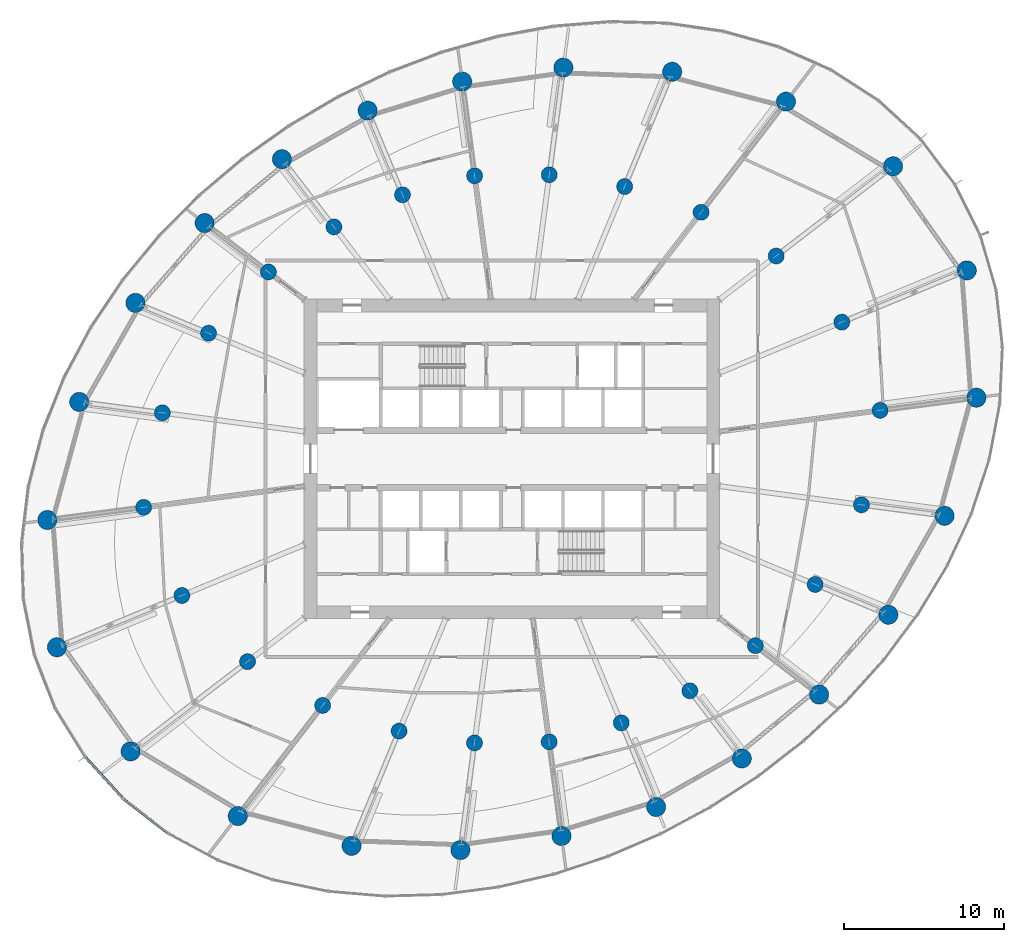
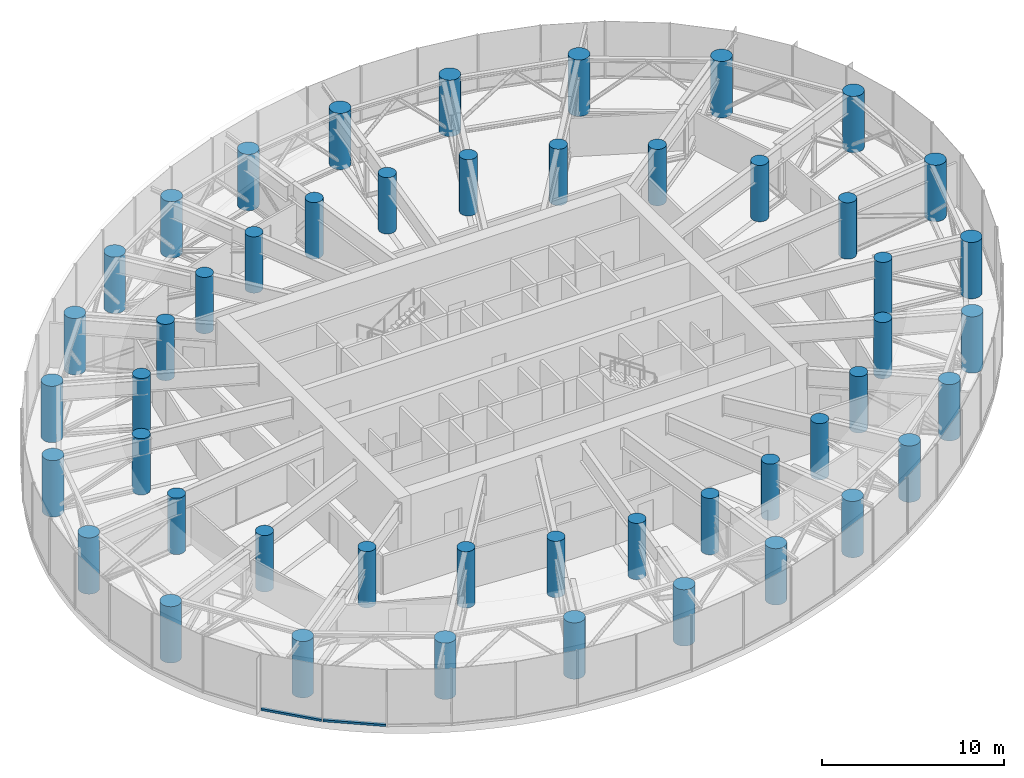
# One storey, part 1 of 33: 48 columns, 2 members, 1 element without a shape of its own.
"""IFC4 building model written with IfcOpenShell, lengths in metres."""

from ifc_helpers import new_model, si_unit, direction, frame, origin, origin_2d, place, context, subcontext, project, spatial, rectangle, circle, extrude, source, transform, mapped, material, layer, layer_set, material_profile, profile_set, type_object, element, aggregate, save


model = new_model("IFC4")

# Units and contexts
model_context = context("Model", 3, precision=1e-05, world=origin(), true_north=direction((0.0, 1.0)))
body_context = subcontext(model_context, "Body", "Model", "MODEL_VIEW")
ifc_project = project(units=[si_unit("LENGTHUNIT", "METRE"), si_unit("AREAUNIT", "SQUARE_METRE"), si_unit("VOLUMEUNIT", "CUBIC_METRE"), si_unit("PLANEANGLEUNIT", "RADIAN"), si_unit("MASSUNIT", "GRAM", prefix="KILO")], contexts=[model_context])

# Site, building, storey
site_placement = place(None, origin())
site = spatial("IfcSite", under=ifc_project, at=site_placement, CompositionType="ELEMENT")
building_placement = place(site_placement, origin())
building = spatial("IfcBuilding", under=site, at=building_placement, Name="Spindrift Exchange Tower", CompositionType="ELEMENT")
storey_placement = place(building_placement, frame((0.0, 0.0, 129.0)))
storey = spatial("IfcBuildingStorey", under=building, at=storey_placement, Name="L30", CompositionType="ELEMENT", Elevation=129.0)

# Columns
ifc_material_1 = material(Name="Concrete 65 MPa", Category="concrete")
ifc_material_profile_1 = material_profile(ifc_material_1, circle(Radius=0.60009765625, at=origin_2d()), Name="RC D1200")
ifc_profile_set_1 = profile_set([ifc_material_profile_1], Name="Concrete 65 MPa")
column_type_1 = type_object("IfcColumnType", Name="RC Perimeter Column D1200 Concrete 65 MPa", PredefinedType="COLUMN", material=ifc_profile_set_1)
shared_shape_1 = source(origin(), body_context, "Body", "SweptSolid", [
    extrude(circle(Radius=0.60009765625, at=origin_2d()), origin(), (0.0, 0.0, 1.0), 3.780029296875),
])
for number, where, z_axis, x_axis, name in (
    (1, (81.056396484375, 51.8251953125, 0.0), (0.0, 0.0, 1.0), (1.0, 0.0, 0.0), "Perimeter column P2-01 L30"),
    (2, (80.45556640625, 59.78662109375, 0.0), (0.0, 0.0, 1.0), (1.0, 0.0, 0.0), "Perimeter column P2-02 L30"),
    (3, (75.84814453125, 66.29931640625, 0.0), (0.0, 0.0, 1.0), (1.0, 0.0, 0.0), "Perimeter column P2-03 L30"),
    (4, (69.145751953125, 70.3447265625, 0.0), (0.0, 0.0, 1.0), (1.0, 0.0, 0.0), "Perimeter column P2-04 L30"),
    (5, (62.029052734375, 72.212158203125, 0.0), (0.0, 0.0, 1.0), (1.0, 0.0, 0.0), "Perimeter column P2-05 L30"),
    (6, (55.222412109375, 72.476806640625, 0.0), (0.0, 0.0, 1.0), (1.0, 0.0, 0.0), "Perimeter column P2-06 L30"),
    (7, (48.8935546875, 71.595458984375, 0.0), (0.0, 0.0, 1.0), (1.0, 0.0, 0.0), "Perimeter column P2-07 L30"),
    (8, (42.978271484375, 69.780517578125, 0.0), (0.0, 0.0, 1.0), (1.0, 0.0, 0.0), "Perimeter column P2-08 L30"),
    (9, (37.617919921875, 66.742919921875, 0.0), (0.0, 0.0, 1.0), (1.0, 0.0, 0.0), "Perimeter column P2-09 L30"),
    (10, (32.7802734375, 62.747802734375, 0.0), (0.0, 0.0, 1.0), (1.0, 0.0, 0.0), "Perimeter column P2-10 L30"),
    (11, (28.4521484375, 57.75390625, 0.0), (0.0, 0.0, 1.0), (1.0, 0.0, 0.0), "Perimeter column P2-11 L30"),
    (12, (24.935546875, 51.56298828125, 0.0), (0.0, 0.0, 1.0), (1.0, 0.0, 0.0), "Perimeter column P2-12 L30"),
    (13, (22.943603515625, 44.1748046875, 0.0), (0.0, 0.0, 1.0), (1.0, 0.0, 0.0), "Perimeter column P2-13 L30"),
    (14, (23.54443359375, 36.21337890625, 0.0), (0.0, 0.0, 1.0), (1.0, 0.0, 0.0), "Perimeter column P2-14 L30"),
    (15, (28.15185546875, 29.70068359375, 0.0), (0.0, 0.0, 1.0), (1.0, 0.0, 0.0), "Perimeter column P2-15 L30"),
    (16, (34.854248046875, 25.6552734375, 0.0), (0.0, 0.0, 1.0), (1.0, 0.0, 0.0), "Perimeter column P2-16 L30"),
    (17, (41.970947265625, 23.787841796875, 0.0), (0.0, 0.0, 1.0), (1.0, 0.0, 0.0), "Perimeter column P2-17 L30"),
    (18, (48.777587890625, 23.523193359375, 0.0), (0.0, 0.0, 1.0), (1.0, 0.0, 0.0), "Perimeter column P2-18 L30"),
    (19, (55.1064453125, 24.404541015625, 0.0), (0.0, 0.0, 1.0), (1.0, 0.0, 0.0), "Perimeter column P2-19 L30"),
    (20, (61.021728515625, 26.219482421875, 0.0), (0.0, 0.0, 1.0), (1.0, 0.0, 0.0), "Perimeter column P2-20 L30"),
    (21, (66.382080078125, 29.257080078125, 0.0), (0.0, 0.0, 1.0), (1.0, 0.0, 0.0), "Perimeter column P2-21 L30"),
    (22, (71.2197265625, 33.252197265625, 0.0), (0.0, 0.0, 1.0), (1.0, 0.0, 0.0), "Perimeter column P2-22 L30"),
    (23, (75.5478515625, 38.24609375, 0.0), (0.0, 0.0, 1.0), (1.0, 0.0, 0.0), "Perimeter column P2-23 L30"),
    (24, (79.064453125, 44.43701171875, 0.0), (0.0, 0.0, 1.0), (1.0, 0.0, 0.0), "Perimeter column P2-24 L30"),
):
    element("IfcColumn", number, at=place(storey_placement, frame(where, z_axis=z_axis, x_axis=x_axis)), inside=storey, type_object=column_type_1, Name=name, PredefinedType="COLUMN", context=body_context, shape_type="MappedRepresentation", body=[
        mapped(shared_shape_1, transform((0.0, 0.0, 0.0), scale=1.0)),
    ])
ifc_material_profile_2 = material_profile(ifc_material_1, circle(Radius=0.5, at=origin_2d()), Name="RC D1000")
ifc_profile_set_2 = profile_set([ifc_material_profile_2], Name="Concrete 65 MPa")
column_type_2 = type_object("IfcColumnType", Name="RC Inner Column D1000 Concrete 65 MPa", PredefinedType="COLUMN", material=ifc_profile_set_2)
shared_shape_2 = source(origin(), body_context, "Body", "SweptSolid", [
    extrude(circle(Radius=0.5, at=origin_2d()), origin(), (0.0, 0.0, 1.0), 3.780029296875),
])
for number, where, z_axis, x_axis, name in (
    (25, (75.033935546875, 51.032470703125, 0.0), (0.0, 0.0, 1.0), (1.0, 0.0, 0.0), "Inner column Q2-01 L30"),
    (26, (72.639404296875, 56.549072265625, 0.0), (0.0, 0.0, 1.0), (1.0, 0.0, 0.0), "Inner column Q2-02 L30"),
    (27, (68.534912109375, 60.6875, 0.0), (0.0, 0.0, 1.0), (1.0, 0.0, 0.0), "Inner column Q2-03 L30"),
    (28, (63.835205078125, 63.423828125, 0.0), (0.0, 0.0, 1.0), (1.0, 0.0, 0.0), "Inner column Q2-04 L30"),
    (29, (59.0546875, 65.03125, 0.0), (0.0, 0.0, 1.0), (1.0, 0.0, 0.0), "Inner column Q2-05 L30"),
    (30, (54.339111328125, 65.767333984375, 0.0), (0.0, 0.0, 1.0), (1.0, 0.0, 0.0), "Inner column Q2-06 L30"),
    (31, (49.669189453125, 65.703125, 0.0), (0.0, 0.0, 1.0), (1.0, 0.0, 0.0), "Inner column Q2-07 L30"),
    (32, (45.158203125, 64.517578125, 0.0), (0.0, 0.0, 1.0), (1.0, 0.0, 0.0), "Inner column Q2-08 L30"),
    (33, (40.8662109375, 62.510009765625, 0.0), (0.0, 0.0, 1.0), (1.0, 0.0, 0.0), "Inner column Q2-09 L30"),
    (34, (36.767578125, 59.688232421875, 0.0), (0.0, 0.0, 1.0), (1.0, 0.0, 0.0), "Inner column Q2-10 L30"),
    (35, (33.027587890625, 55.858642578125, 0.0), (0.0, 0.0, 1.0), (1.0, 0.0, 0.0), "Inner column Q2-11 L30"),
    (36, (30.13671875, 50.87841796875, 0.0), (0.0, 0.0, 1.0), (1.0, 0.0, 0.0), "Inner column Q2-12 L30"),
    (37, (28.966064453125, 44.967529296875, 0.0), (0.0, 0.0, 1.0), (1.0, 0.0, 0.0), "Inner column Q2-13 L30"),
    (38, (31.360595703125, 39.450927734375, 0.0), (0.0, 0.0, 1.0), (1.0, 0.0, 0.0), "Inner column Q2-14 L30"),
    (39, (35.465087890625, 35.3125, 0.0), (0.0, 0.0, 1.0), (1.0, 0.0, 0.0), "Inner column Q2-15 L30"),
    (40, (40.164794921875, 32.576171875, 0.0), (0.0, 0.0, 1.0), (1.0, 0.0, 0.0), "Inner column Q2-16 L30"),
    (41, (44.9453125, 30.96875, 0.0), (0.0, 0.0, 1.0), (1.0, 0.0, 0.0), "Inner column Q2-17 L30"),
    (42, (49.660888671875, 30.232666015625, 0.0), (0.0, 0.0, 1.0), (1.0, 0.0, 0.0), "Inner column Q2-18 L30"),
    (43, (54.330810546875, 30.296875, 0.0), (0.0, 0.0, 1.0), (1.0, 0.0, 0.0), "Inner column Q2-19 L30"),
    (44, (58.841796875, 31.482421875, 0.0), (0.0, 0.0, 1.0), (1.0, 0.0, 0.0), "Inner column Q2-20 L30"),
    (45, (63.1337890625, 33.489990234375, 0.0), (0.0, 0.0, 1.0), (1.0, 0.0, 0.0), "Inner column Q2-21 L30"),
    (46, (67.232421875, 36.311767578125, 0.0), (0.0, 0.0, 1.0), (1.0, 0.0, 0.0), "Inner column Q2-22 L30"),
    (47, (70.972412109375, 40.141357421875, 0.0), (0.0, 0.0, 1.0), (1.0, 0.0, 0.0), "Inner column Q2-23 L30"),
    (48, (73.86328125, 45.12158203125, 0.0), (0.0, 0.0, 1.0), (1.0, 0.0, 0.0), "Inner column Q2-24 L30"),
):
    element("IfcColumn", number, at=place(storey_placement, frame(where, z_axis=z_axis, x_axis=x_axis)), inside=storey, type_object=column_type_2, Name=name, PredefinedType="COLUMN", context=body_context, shape_type="MappedRepresentation", body=[
        mapped(shared_shape_2, transform((0.0, 0.0, 0.0), scale=1.0)),
    ])

# Curtain wall, members
ifc_material_2 = material(Name="Fritted laminated glass with bronze frame", Category="glass")
ifc_layer = layer(ifc_material_2, 0.18994140625)
ifc_layer_set = layer_set([ifc_layer], Name="ZONE 2 BRONZE FRITTED WALL")
curtain_wall_type = type_object("IfcCurtainWallType", Name="ZONE 2 BRONZE FRITTED WALL", PredefinedType="NOTDEFINED", material=ifc_layer_set)
curtain_wall_placement = place(storey_placement, origin())
curtain_wall = element("IfcCurtainWall", 49, at=curtain_wall_placement, inside=storey, type_object=curtain_wall_type, Name="L30 Zone 2 Bronze Fritted Wall run 5", PredefinedType="NOTDEFINED")
ifc_material_3 = material(Name="Bronze anodised aluminium", Category="aluminium")
ifc_material_profile_3 = material_profile(ifc_material_3, rectangle(XDim=0.169921875, YDim=0.139892578125, at=origin_2d()), Name="ZONE 2 BRONZE FRITTED WALL TRANSOM 170X140")
ifc_profile_set_3 = profile_set([ifc_material_profile_3], Name="Bronze anodised aluminium")
member_type = type_object("IfcMemberType", Name="ZONE 2 BRONZE FRITTED WALL TRANSOM 170X140", PredefinedType="USERDEFINED", material=ifc_profile_set_3)
shared_shape_3 = source(origin(), body_context, "Body", "SweptSolid", [
    extrude(rectangle(XDim=0.169921875, YDim=0.139892578125, at=origin_2d()), origin(), (0.0, 0.0, 1.0), 3.48828125),
])
member_1_placement = place(storey_placement, frame((27.71923828125, 26.708984375, 0.070068359375), z_axis=(0.792061661676, -0.610441089789, 0.0), x_axis=(0.610441089789, 0.792061661676, 0.0)))
member_1 = element("IfcMember", 50, at=member_1_placement, type_object=member_type, Name="L30 transom CW-2.28", ObjectType="TRANSOM", PredefinedType="USERDEFINED", context=body_context, shape_type="MappedRepresentation", body=[
    mapped(shared_shape_3, transform((0.0, 0.0, 0.0), scale=1.0)),
])
shared_shape_4 = source(origin(), body_context, "Body", "SweptSolid", [
    extrude(rectangle(XDim=0.169921875, YDim=0.139892578125, at=origin_2d()), origin(), (0.0, 0.0, 1.0), 3.48779296875),
])
member_2_placement = place(storey_placement, frame((25.318115234375, 29.340576171875, 0.070068359375), z_axis=(0.672672793996, -0.739940073396, 0.0), x_axis=(0.739940073396, 0.672672793996, 0.0)))
member_2 = element("IfcMember", 51, at=member_2_placement, type_object=member_type, Name="L30 transom CW-2.27", ObjectType="TRANSOM", PredefinedType="USERDEFINED", context=body_context, shape_type="MappedRepresentation", body=[
    mapped(shared_shape_4, transform((0.0, 0.0, 0.0), scale=1.0)),
])
aggregate(curtain_wall, [member_2, member_1])

save(model, "model.ifc")
